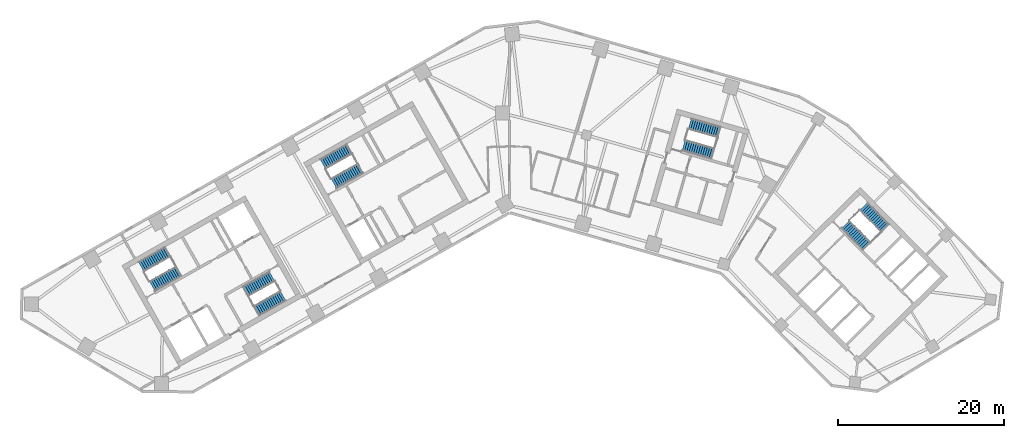
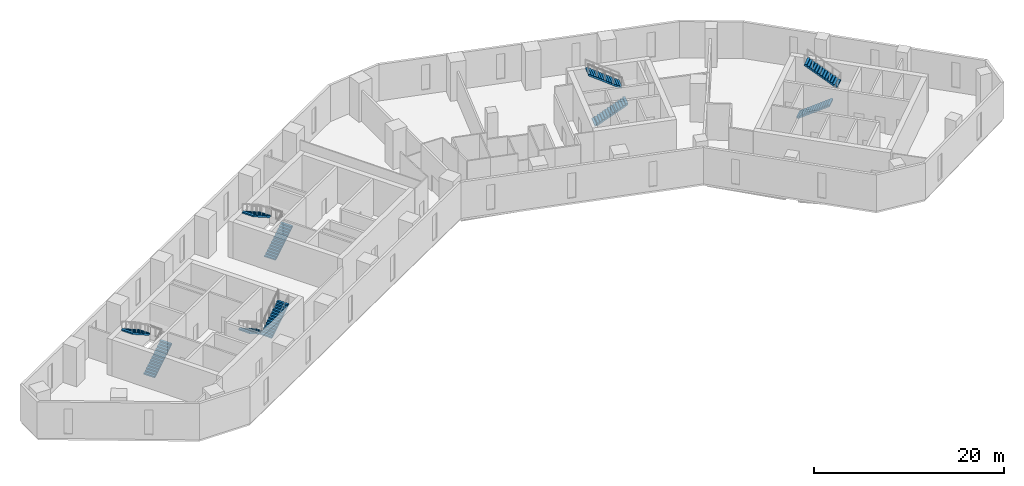
# One storey, part 8 of 10: 10 stair flights, 5 elements without a shape of their own.
"""IFC4 building model written with IfcOpenShell, lengths in metres."""

from ifc_helpers import new_model, si_unit, direction, frame, origin, place, context, subcontext, project, spatial, polyline, outline, extrude, material, type_object, element, aggregate, save


model = new_model("IFC4")

# Units and contexts
model_context = context("Model", 3, precision=1e-05, world=origin(), true_north=direction((0.0, 1.0)))
body_context = subcontext(model_context, "Body", "Model", "MODEL_VIEW")
ifc_project = project(units=[si_unit("LENGTHUNIT", "METRE"), si_unit("AREAUNIT", "SQUARE_METRE"), si_unit("VOLUMEUNIT", "CUBIC_METRE"), si_unit("PLANEANGLEUNIT", "RADIAN"), si_unit("MASSUNIT", "GRAM", prefix="KILO")], contexts=[model_context])

# Site, building, storey
site_placement = place(None, origin())
site = spatial("IfcSite", under=ifc_project, at=site_placement, CompositionType="ELEMENT")
building_placement = place(site_placement, origin())
building = spatial("IfcBuilding", under=site, at=building_placement, Name="Binnacle Exchange Tower", CompositionType="ELEMENT")
storey_placement = place(building_placement, frame((0.0, 0.0, 41.5)))
storey = spatial("IfcBuildingStorey", under=building, at=storey_placement, Name="L08", CompositionType="ELEMENT", Elevation=41.5)

# Stair, stair flights
ifc_material = material(Name="Concrete C35/45", Category="concrete")
stair_type = type_object("IfcStairType", Name="STAIR 28 RISERS 179", PredefinedType="HALF_TURN_STAIR", material=ifc_material)
stair_1_placement = place(storey_placement, origin())
stair_1 = element("IfcStair", 1, at=stair_1_placement, inside=storey, type_object=stair_type, Name="L08 Escape stair A1", PredefinedType="HALF_TURN_STAIR")
stair_flight_type = type_object("IfcStairFlightType", Name="STAIR FLIGHT 179X280", PredefinedType="STRAIGHT", material=ifc_material)
stair_flight_1_placement = place(storey_placement, frame((-42.9541015625, 39.17333984375, 0.0), z_axis=(0.0, 0.0, 1.0), x_axis=(0.870355584213, 0.492423757581, 0.0)))
stair_flight_1 = element("IfcStairFlight", 2, at=stair_flight_1_placement, type_object=stair_flight_type, Name="STA1 flight 1", NumberOfRisers=14, NumberOfTreads=13, PredefinedType="STRAIGHT", RiserHeight=0.178571429, TreadLength=0.28, context=body_context, shape_type="SweptSolid", body=[
    extrude(outline(polyline([(0.0, 0.0), (0.0, 0.178466796875), (0.280029296875, 0.178466796875), (0.280029296875, 0.357177734375), (0.56005859375, 0.357177734375), (0.56005859375, 0.53564453125), (0.840087890625, 0.53564453125), (0.840087890625, 0.71435546875), (1.1201171875, 0.71435546875), (1.1201171875, 0.892822265625), (1.39990234375, 0.892822265625), (1.39990234375, 1.071533203125), (1.679931640625, 1.071533203125), (1.679931640625, 1.25), (1.9599609375, 1.25), (1.9599609375, 1.428466796875), (2.239990234375, 1.428466796875), (2.239990234375, 1.607177734375), (2.52001953125, 1.607177734375), (2.52001953125, 1.78564453125), (2.800048828125, 1.78564453125), (2.800048828125, 1.96435546875), (3.080078125, 1.96435546875), (3.080078125, 2.142822265625), (3.360107421875, 2.142822265625), (3.360107421875, 2.321533203125), (3.639892578125, 2.321533203125), (3.639892578125, 2.5), (3.639892578125, 2.1435546875), (0.27880859375, 0.0), (0.0, 0.0)])), frame((0.0, 0.675048828125, 0.0), z_axis=(0.0, -1.0, 0.0), x_axis=(1.0, 0.0, 0.0)), (0.0, 0.0, 1.0), 1.35009765625),
])
stair_flight_2_placement = place(storey_placement, frame((-41.115478515625, 43.315673828125, 2.5), z_axis=(0.0, 0.0, 1.0), x_axis=(-0.870355584213, -0.492423757581, 0.0)))
stair_flight_2 = element("IfcStairFlight", 3, at=stair_flight_2_placement, type_object=stair_flight_type, Name="STA1 flight 2", NumberOfRisers=14, NumberOfTreads=13, PredefinedType="STRAIGHT", RiserHeight=0.178571429, TreadLength=0.28, context=body_context, shape_type="SweptSolid", body=[
    extrude(outline(polyline([(0.0, 0.0), (0.0, 0.178466796875), (0.280029296875, 0.178466796875), (0.280029296875, 0.357177734375), (0.56005859375, 0.357177734375), (0.56005859375, 0.53564453125), (0.840087890625, 0.53564453125), (0.840087890625, 0.71435546875), (1.1201171875, 0.71435546875), (1.1201171875, 0.892822265625), (1.39990234375, 0.892822265625), (1.39990234375, 1.071533203125), (1.679931640625, 1.071533203125), (1.679931640625, 1.25), (1.9599609375, 1.25), (1.9599609375, 1.428466796875), (2.239990234375, 1.428466796875), (2.239990234375, 1.607177734375), (2.52001953125, 1.607177734375), (2.52001953125, 1.78564453125), (2.800048828125, 1.78564453125), (2.800048828125, 1.96435546875), (3.080078125, 1.96435546875), (3.080078125, 2.142822265625), (3.360107421875, 2.142822265625), (3.360107421875, 2.321533203125), (3.639892578125, 2.321533203125), (3.639892578125, 2.5), (3.639892578125, 2.1435546875), (0.27880859375, 0.0), (0.0, 0.0)])), frame((0.0, 0.675048828125, 0.0), z_axis=(0.0, -1.0, 0.0), x_axis=(1.0, 0.0, 0.0)), (0.0, 0.0, 1.0), 1.35009765625),
])
aggregate(stair_1, [stair_flight_1, stair_flight_2])

stair_2_placement = place(storey_placement, origin())
stair_2 = element("IfcStair", 4, at=stair_2_placement, inside=storey, type_object=stair_type, Name="L08 Escape stair A2", PredefinedType="HALF_TURN_STAIR")
stair_flight_3_placement = place(storey_placement, frame((-28.5732421875, 40.3583984375, 0.0), z_axis=(0.0, 0.0, 1.0), x_axis=(-0.870355584213, -0.492423757581, 0.0)))
stair_flight_3 = element("IfcStairFlight", 5, at=stair_flight_3_placement, type_object=stair_flight_type, Name="STA2 flight 1", NumberOfRisers=14, NumberOfTreads=13, PredefinedType="STRAIGHT", RiserHeight=0.178571429, TreadLength=0.28, context=body_context, shape_type="SweptSolid", body=[
    extrude(outline(polyline([(0.0, 0.0), (0.0, 0.178466796875), (0.280029296875, 0.178466796875), (0.280029296875, 0.357177734375), (0.56005859375, 0.357177734375), (0.56005859375, 0.53564453125), (0.840087890625, 0.53564453125), (0.840087890625, 0.71435546875), (1.1201171875, 0.71435546875), (1.1201171875, 0.892822265625), (1.39990234375, 0.892822265625), (1.39990234375, 1.071533203125), (1.679931640625, 1.071533203125), (1.679931640625, 1.25), (1.9599609375, 1.25), (1.9599609375, 1.428466796875), (2.239990234375, 1.428466796875), (2.239990234375, 1.607177734375), (2.52001953125, 1.607177734375), (2.52001953125, 1.78564453125), (2.800048828125, 1.78564453125), (2.800048828125, 1.96435546875), (3.080078125, 1.96435546875), (3.080078125, 2.142822265625), (3.360107421875, 2.142822265625), (3.360107421875, 2.321533203125), (3.639892578125, 2.321533203125), (3.639892578125, 2.5), (3.639892578125, 2.1435546875), (0.27880859375, 0.0), (0.0, 0.0)])), frame((0.0, 0.675048828125, 0.0), z_axis=(0.0, -1.0, 0.0), x_axis=(1.0, 0.0, 0.0)), (0.0, 0.0, 1.0), 1.35009765625),
])
stair_flight_4_placement = place(storey_placement, frame((-30.411865234375, 36.216064453125, 2.5), z_axis=(0.0, 0.0, 1.0), x_axis=(0.870355584213, 0.492423757581, 0.0)))
stair_flight_4 = element("IfcStairFlight", 6, at=stair_flight_4_placement, type_object=stair_flight_type, Name="STA2 flight 2", NumberOfRisers=14, NumberOfTreads=13, PredefinedType="STRAIGHT", RiserHeight=0.178571429, TreadLength=0.28, context=body_context, shape_type="SweptSolid", body=[
    extrude(outline(polyline([(0.0, 0.0), (0.0, 0.178466796875), (0.280029296875, 0.178466796875), (0.280029296875, 0.357177734375), (0.56005859375, 0.357177734375), (0.56005859375, 0.53564453125), (0.840087890625, 0.53564453125), (0.840087890625, 0.71435546875), (1.1201171875, 0.71435546875), (1.1201171875, 0.892822265625), (1.39990234375, 0.892822265625), (1.39990234375, 1.071533203125), (1.679931640625, 1.071533203125), (1.679931640625, 1.25), (1.9599609375, 1.25), (1.9599609375, 1.428466796875), (2.239990234375, 1.428466796875), (2.239990234375, 1.607177734375), (2.52001953125, 1.607177734375), (2.52001953125, 1.78564453125), (2.800048828125, 1.78564453125), (2.800048828125, 1.96435546875), (3.080078125, 1.96435546875), (3.080078125, 2.142822265625), (3.360107421875, 2.142822265625), (3.360107421875, 2.321533203125), (3.639892578125, 2.321533203125), (3.639892578125, 2.5), (3.639892578125, 2.1435546875), (0.27880859375, 0.0), (0.0, 0.0)])), frame((0.0, 0.675048828125, 0.0), z_axis=(0.0, -1.0, 0.0), x_axis=(1.0, 0.0, 0.0)), (0.0, 0.0, 1.0), 1.35009765625),
])
aggregate(stair_2, [stair_flight_3, stair_flight_4])

stair_3_placement = place(storey_placement, origin())
stair_3 = element("IfcStair", 7, at=stair_3_placement, inside=storey, type_object=stair_type, Name="L08 Escape stair B1", PredefinedType="HALF_TURN_STAIR")
stair_flight_5_placement = place(storey_placement, frame((40.376708984375, 46.608642578125, 0.0), z_axis=(0.0, 0.0, 1.0), x_axis=(0.70090935144, -0.713250363522, 0.0)))
stair_flight_5 = element("IfcStairFlight", 8, at=stair_flight_5_placement, type_object=stair_flight_type, Name="STB1 flight 1", NumberOfRisers=14, NumberOfTreads=13, PredefinedType="STRAIGHT", RiserHeight=0.178571429, TreadLength=0.28, context=body_context, shape_type="SweptSolid", body=[
    extrude(outline(polyline([(0.0, 0.0), (0.0, 0.178466796875), (0.280029296875, 0.178466796875), (0.280029296875, 0.357177734375), (0.56005859375, 0.357177734375), (0.56005859375, 0.53564453125), (0.840087890625, 0.53564453125), (0.840087890625, 0.71435546875), (1.1201171875, 0.71435546875), (1.1201171875, 0.892822265625), (1.39990234375, 0.892822265625), (1.39990234375, 1.071533203125), (1.679931640625, 1.071533203125), (1.679931640625, 1.25), (1.9599609375, 1.25), (1.9599609375, 1.428466796875), (2.239990234375, 1.428466796875), (2.239990234375, 1.607177734375), (2.52001953125, 1.607177734375), (2.52001953125, 1.78564453125), (2.800048828125, 1.78564453125), (2.800048828125, 1.96435546875), (3.080078125, 1.96435546875), (3.080078125, 2.142822265625), (3.360107421875, 2.142822265625), (3.360107421875, 2.321533203125), (3.639892578125, 2.321533203125), (3.639892578125, 2.5), (3.639892578125, 2.1435546875), (0.27880859375, 0.0), (0.0, 0.0)])), frame((0.0, 0.675048828125, 0.0), z_axis=(0.0, -1.0, 0.0), x_axis=(1.0, 0.0, 0.0)), (0.0, 0.0, 1.0), 1.35009765625),
])
stair_flight_6_placement = place(storey_placement, frame((45.13916015625, 46.185302734375, 2.5), z_axis=(0.0, 0.0, 1.0), x_axis=(-0.70090935144, 0.713250363522, 0.0)))
stair_flight_6 = element("IfcStairFlight", 9, at=stair_flight_6_placement, type_object=stair_flight_type, Name="STB1 flight 2", NumberOfRisers=14, NumberOfTreads=13, PredefinedType="STRAIGHT", RiserHeight=0.178571429, TreadLength=0.28, context=body_context, shape_type="SweptSolid", body=[
    extrude(outline(polyline([(0.0, 0.0), (0.0, 0.178466796875), (0.280029296875, 0.178466796875), (0.280029296875, 0.357177734375), (0.56005859375, 0.357177734375), (0.56005859375, 0.53564453125), (0.840087890625, 0.53564453125), (0.840087890625, 0.71435546875), (1.1201171875, 0.71435546875), (1.1201171875, 0.892822265625), (1.39990234375, 0.892822265625), (1.39990234375, 1.071533203125), (1.679931640625, 1.071533203125), (1.679931640625, 1.25), (1.9599609375, 1.25), (1.9599609375, 1.428466796875), (2.239990234375, 1.428466796875), (2.239990234375, 1.607177734375), (2.52001953125, 1.607177734375), (2.52001953125, 1.78564453125), (2.800048828125, 1.78564453125), (2.800048828125, 1.96435546875), (3.080078125, 1.96435546875), (3.080078125, 2.142822265625), (3.360107421875, 2.142822265625), (3.360107421875, 2.321533203125), (3.639892578125, 2.321533203125), (3.639892578125, 2.5), (3.639892578125, 2.1435546875), (0.27880859375, 0.0), (0.0, 0.0)])), frame((0.0, 0.675048828125, 0.0), z_axis=(0.0, -1.0, 0.0), x_axis=(1.0, 0.0, 0.0)), (0.0, 0.0, 1.0), 1.35009765625),
])
aggregate(stair_3, [stair_flight_5, stair_flight_6])

stair_4_placement = place(storey_placement, origin())
stair_4 = element("IfcStair", 10, at=stair_4_placement, inside=storey, type_object=stair_type, Name="L08 Escape stair C1", PredefinedType="HALF_TURN_STAIR")
stair_flight_7_placement = place(storey_placement, frame((-21.115966796875, 51.528564453125, 0.0), z_axis=(0.0, 0.0, 1.0), x_axis=(0.870355584213, 0.492423757581, 0.0)))
stair_flight_7 = element("IfcStairFlight", 11, at=stair_flight_7_placement, type_object=stair_flight_type, Name="STC1 flight 1", NumberOfRisers=14, NumberOfTreads=13, PredefinedType="STRAIGHT", RiserHeight=0.178571429, TreadLength=0.28, context=body_context, shape_type="SweptSolid", body=[
    extrude(outline(polyline([(0.0, 0.0), (0.0, 0.178466796875), (0.280029296875, 0.178466796875), (0.280029296875, 0.357177734375), (0.56005859375, 0.357177734375), (0.56005859375, 0.53564453125), (0.840087890625, 0.53564453125), (0.840087890625, 0.71435546875), (1.1201171875, 0.71435546875), (1.1201171875, 0.892822265625), (1.39990234375, 0.892822265625), (1.39990234375, 1.071533203125), (1.679931640625, 1.071533203125), (1.679931640625, 1.25), (1.9599609375, 1.25), (1.9599609375, 1.428466796875), (2.239990234375, 1.428466796875), (2.239990234375, 1.607177734375), (2.52001953125, 1.607177734375), (2.52001953125, 1.78564453125), (2.800048828125, 1.78564453125), (2.800048828125, 1.96435546875), (3.080078125, 1.96435546875), (3.080078125, 2.142822265625), (3.360107421875, 2.142822265625), (3.360107421875, 2.321533203125), (3.639892578125, 2.321533203125), (3.639892578125, 2.5), (3.639892578125, 2.1435546875), (0.27880859375, 0.0), (0.0, 0.0)])), frame((0.0, 0.675048828125, 0.0), z_axis=(0.0, -1.0, 0.0), x_axis=(1.0, 0.0, 0.0)), (0.0, 0.0, 1.0), 1.35009765625),
])
stair_flight_8_placement = place(storey_placement, frame((-19.27734375, 55.671142578125, 2.5), z_axis=(0.0, 0.0, 1.0), x_axis=(-0.870355584213, -0.492423757581, 0.0)))
stair_flight_8 = element("IfcStairFlight", 12, at=stair_flight_8_placement, type_object=stair_flight_type, Name="STC1 flight 2", NumberOfRisers=14, NumberOfTreads=13, PredefinedType="STRAIGHT", RiserHeight=0.178571429, TreadLength=0.28, context=body_context, shape_type="SweptSolid", body=[
    extrude(outline(polyline([(0.0, 0.0), (0.0, 0.178466796875), (0.280029296875, 0.178466796875), (0.280029296875, 0.357177734375), (0.56005859375, 0.357177734375), (0.56005859375, 0.53564453125), (0.840087890625, 0.53564453125), (0.840087890625, 0.71435546875), (1.1201171875, 0.71435546875), (1.1201171875, 0.892822265625), (1.39990234375, 0.892822265625), (1.39990234375, 1.071533203125), (1.679931640625, 1.071533203125), (1.679931640625, 1.25), (1.9599609375, 1.25), (1.9599609375, 1.428466796875), (2.239990234375, 1.428466796875), (2.239990234375, 1.607177734375), (2.52001953125, 1.607177734375), (2.52001953125, 1.78564453125), (2.800048828125, 1.78564453125), (2.800048828125, 1.96435546875), (3.080078125, 1.96435546875), (3.080078125, 2.142822265625), (3.360107421875, 2.142822265625), (3.360107421875, 2.321533203125), (3.639892578125, 2.321533203125), (3.639892578125, 2.5), (3.639892578125, 2.1435546875), (0.27880859375, 0.0), (0.0, 0.0)])), frame((0.0, 0.675048828125, 0.0), z_axis=(0.0, -1.0, 0.0), x_axis=(1.0, 0.0, 0.0)), (0.0, 0.0, 1.0), 1.35009765625),
])
aggregate(stair_4, [stair_flight_7, stair_flight_8])

stair_5_placement = place(storey_placement, origin())
stair_5 = element("IfcStair", 13, at=stair_5_placement, inside=storey, type_object=stair_type, Name="L08 Escape stair D1", PredefinedType="HALF_TURN_STAIR")
stair_flight_9_placement = place(storey_placement, frame((20.914306640625, 56.109619140625, 0.0), z_axis=(0.0, 0.0, 1.0), x_axis=(0.961261811397, -0.275636953165, 0.0)))
stair_flight_9 = element("IfcStairFlight", 14, at=stair_flight_9_placement, type_object=stair_flight_type, Name="STD1 flight 1", NumberOfRisers=14, NumberOfTreads=13, PredefinedType="STRAIGHT", RiserHeight=0.178571429, TreadLength=0.28, context=body_context, shape_type="SweptSolid", body=[
    extrude(outline(polyline([(0.0, 0.0), (0.0, 0.178466796875), (0.280029296875, 0.178466796875), (0.280029296875, 0.357177734375), (0.56005859375, 0.357177734375), (0.56005859375, 0.53564453125), (0.840087890625, 0.53564453125), (0.840087890625, 0.71435546875), (1.1201171875, 0.71435546875), (1.1201171875, 0.892822265625), (1.39990234375, 0.892822265625), (1.39990234375, 1.071533203125), (1.679931640625, 1.071533203125), (1.679931640625, 1.25), (1.9599609375, 1.25), (1.9599609375, 1.428466796875), (2.239990234375, 1.428466796875), (2.239990234375, 1.607177734375), (2.52001953125, 1.607177734375), (2.52001953125, 1.78564453125), (2.800048828125, 1.78564453125), (2.800048828125, 1.96435546875), (3.080078125, 1.96435546875), (3.080078125, 2.142822265625), (3.360107421875, 2.142822265625), (3.360107421875, 2.321533203125), (3.639892578125, 2.321533203125), (3.639892578125, 2.5), (3.639892578125, 2.1435546875), (0.27880859375, 0.0), (0.0, 0.0)])), frame((0.0, 0.675048828125, 0.0), z_axis=(0.0, -1.0, 0.0), x_axis=(1.0, 0.0, 0.0)), (0.0, 0.0, 1.0), 1.35009765625),
])
stair_flight_10_placement = place(storey_placement, frame((25.157470703125, 57.70166015625, 2.5), z_axis=(0.0, 0.0, 1.0), x_axis=(-0.961261811397, 0.275636953165, 0.0)))
stair_flight_10 = element("IfcStairFlight", 15, at=stair_flight_10_placement, type_object=stair_flight_type, Name="STD1 flight 2", NumberOfRisers=14, NumberOfTreads=13, PredefinedType="STRAIGHT", RiserHeight=0.178571429, TreadLength=0.28, context=body_context, shape_type="SweptSolid", body=[
    extrude(outline(polyline([(0.0, 0.0), (0.0, 0.178466796875), (0.280029296875, 0.178466796875), (0.280029296875, 0.357177734375), (0.56005859375, 0.357177734375), (0.56005859375, 0.53564453125), (0.840087890625, 0.53564453125), (0.840087890625, 0.71435546875), (1.1201171875, 0.71435546875), (1.1201171875, 0.892822265625), (1.39990234375, 0.892822265625), (1.39990234375, 1.071533203125), (1.679931640625, 1.071533203125), (1.679931640625, 1.25), (1.9599609375, 1.25), (1.9599609375, 1.428466796875), (2.239990234375, 1.428466796875), (2.239990234375, 1.607177734375), (2.52001953125, 1.607177734375), (2.52001953125, 1.78564453125), (2.800048828125, 1.78564453125), (2.800048828125, 1.96435546875), (3.080078125, 1.96435546875), (3.080078125, 2.142822265625), (3.360107421875, 2.142822265625), (3.360107421875, 2.321533203125), (3.639892578125, 2.321533203125), (3.639892578125, 2.5), (3.639892578125, 2.1435546875), (0.27880859375, 0.0), (0.0, 0.0)])), frame((0.0, 0.675048828125, 0.0), z_axis=(0.0, -1.0, 0.0), x_axis=(1.0, 0.0, 0.0)), (0.0, 0.0, 1.0), 1.35009765625),
])
aggregate(stair_5, [stair_flight_9, stair_flight_10])

save(model, "model.ifc")
